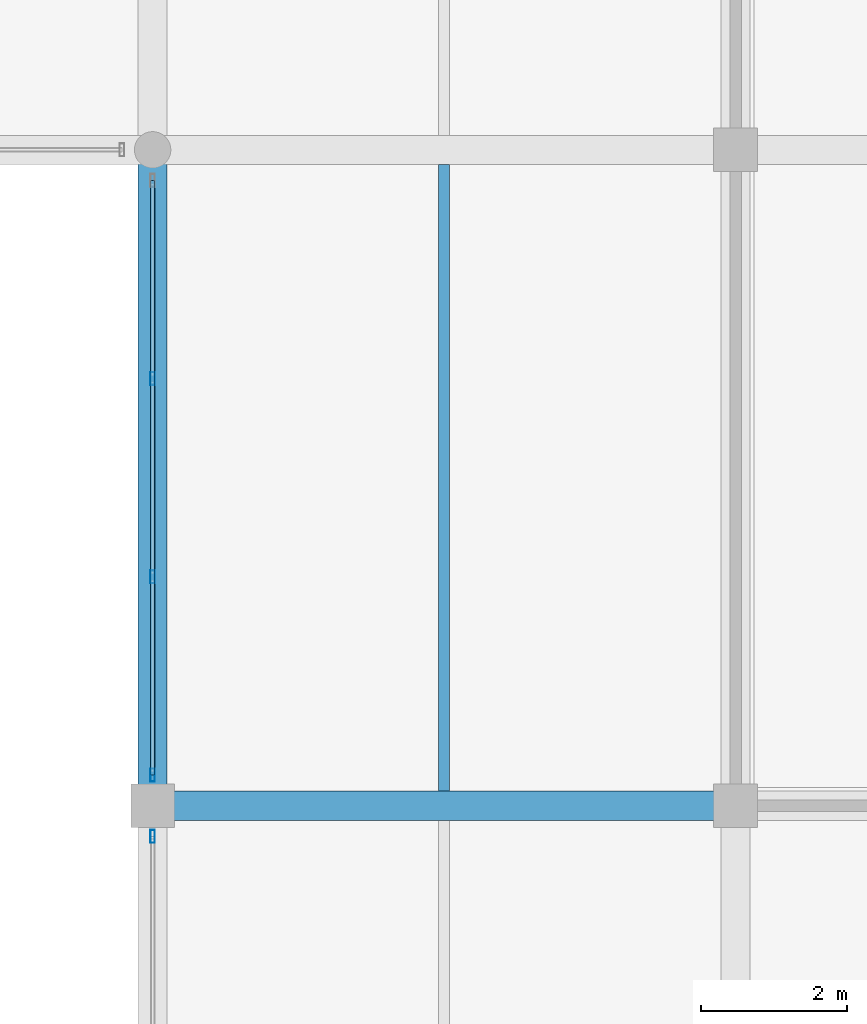
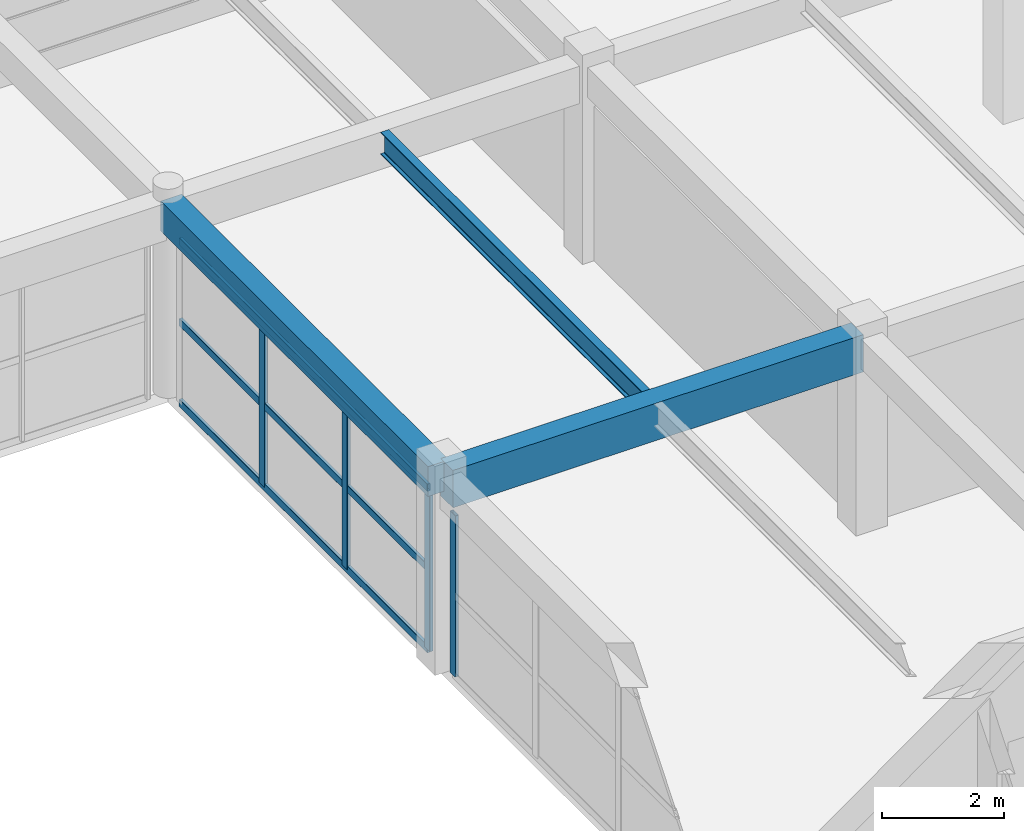
# One storey, part 27 of 126: 7 members, 3 beams, 2 elements without a shape of their own.
"""IFC4 building model written with IfcOpenShell, lengths in metres."""

from ifc_helpers import new_model, si_unit, direction, frame, origin, origin_2d, place, context, subcontext, project, spatial, rectangle, hollow_rectangle, i_section, extrude, material, material_profile, profile_set, type_object, element, aggregate, save


model = new_model("IFC4")

# Units and contexts
model_context = context("Model", 3, precision=1e-05, world=origin(), true_north=direction((0.0, 1.0)))
body_context = subcontext(model_context, "Body", "Model", "MODEL_VIEW")
ifc_project = project(units=[si_unit("LENGTHUNIT", "METRE"), si_unit("AREAUNIT", "SQUARE_METRE"), si_unit("VOLUMEUNIT", "CUBIC_METRE"), si_unit("PLANEANGLEUNIT", "RADIAN"), si_unit("MASSUNIT", "GRAM", prefix="KILO")], contexts=[model_context])

# Site, building, storey
site_placement = place(None, origin())
site = spatial("IfcSite", under=ifc_project, at=site_placement, CompositionType="ELEMENT")
building_placement = place(site_placement, origin())
building = spatial("IfcBuilding", under=site, at=building_placement, Name="Varnabhumi Central Station", CompositionType="ELEMENT")
storey_placement = place(building_placement, frame((0.0, 0.0, 16.199951171875)))
storey = spatial("IfcBuildingStorey", under=building, at=storey_placement, Name="L03", CompositionType="ELEMENT", Elevation=16.199951171875)

# Beams
ifc_material_1 = material(Name="Structural steel E350", Category="steel")
ifc_material_profile_1 = material_profile(ifc_material_1, i_section(OverallWidth=0.14990234375, OverallDepth=0.449951171875, WebThickness=0.009521484375, FlangeThickness=0.017333984375, FilletRadius=0.014892578125, at=origin_2d()), Name="Structural steel E350", Category="steel")
ifc_profile_set_1 = profile_set([ifc_material_profile_1], Name="Structural steel E350")
beam_type_1 = type_object("IfcBeamType", Name="BM-JST-ISMB450", PredefinedType="JOIST", material=ifc_profile_set_1)
beam_1_placement = place(storey_placement, frame((148.0, 18.199951171875, 3.695068359375), z_axis=(0.0, 1.0, 0.0), x_axis=(-1.0, 0.0, 0.0)))
element("IfcBeam", 1, at=beam_1_placement, inside=storey, type_object=beam_type_1, Name="Secondary Joist L03-19/20:C-D", PredefinedType="JOIST", context=body_context, shape_type="SweptSolid", body=[
    extrude(i_section(OverallWidth=0.14990234375, OverallDepth=0.449951171875, WebThickness=0.009521484375, FlangeThickness=0.017333984375, FilletRadius=0.014892578125, at=origin_2d()), origin(), (0.0, 0.0, 1.0), 8.60009765625),
])
ifc_material_2 = material(Name="Concrete M40", Category="concrete")
ifc_material_profile_2 = material_profile(ifc_material_2, rectangle(XDim=0.39990234375, YDim=0.60009765625, at=origin_2d()), Name="Concrete M40", Category="concrete")
ifc_profile_set_2 = profile_set([ifc_material_profile_2], Name="Concrete M40")
beam_type_2 = type_object("IfcBeamType", Name="BM-RC-400x600", PredefinedType="BEAM", material=ifc_profile_set_2)
beam_2_placement = place(storey_placement, frame((144.0, 18.10009765625, 3.6201171875), z_axis=(0.0, 1.0, 0.0), x_axis=(-1.0, 0.0, 0.0)))
element("IfcBeam", 2, at=beam_2_placement, inside=storey, type_object=beam_type_2, Name="Beam L03-19:C-D", PredefinedType="BEAM", context=body_context, shape_type="SweptSolid", body=[
    extrude(rectangle(XDim=0.39990234375, YDim=0.60009765625, at=origin_2d()), origin(), (0.0, 0.0, 1.0), 8.7998046875),
])
ifc_material_profile_3 = material_profile(ifc_material_2, rectangle(XDim=0.39990234375, YDim=0.75, at=origin_2d()), Name="Concrete M40", Category="concrete")
ifc_profile_set_3 = profile_set([ifc_material_profile_3], Name="Concrete M40")
beam_type_3 = type_object("IfcBeamType", Name="BM-RC-400x750", PredefinedType="BEAM", material=ifc_profile_set_3)
beam_3_placement = place(storey_placement, frame((144.10009765625, 18.0, 3.545166015625), z_axis=(1.0, 0.0, 0.0), x_axis=(0.0, 1.0, 0.0)))
element("IfcBeam", 3, at=beam_3_placement, inside=storey, type_object=beam_type_3, Name="Beam L03-C:19-20", PredefinedType="BEAM", context=body_context, shape_type="SweptSolid", body=[
    extrude(rectangle(XDim=0.39990234375, YDim=0.75, at=origin_2d()), origin(), (0.0, 0.0, 1.0), 7.7998046875),
])

# Curtain wall, member
ifc_material_3 = material(Name="Anodised aluminium 6063-T6", Category="aluminium")
curtain_wall_type = type_object("IfcCurtainWallType", Name="CW-PATIO-LOGGIA-L3", PredefinedType="NOTDEFINED", material=ifc_material_3)
curtain_wall_1_placement = place(storey_placement, origin())
curtain_wall_1 = element("IfcCurtainWall", 4, at=curtain_wall_1_placement, inside=storey, type_object=curtain_wall_type, Name="Curtain Wall CW-SP3W1", PredefinedType="NOTDEFINED")
ifc_material_profile_4 = material_profile(ifc_material_3, hollow_rectangle(XDim=0.06494140625, YDim=0.179931640625, WallThickness=0.00390625, InnerFilletRadius=0.001953125, OuterFilletRadius=0.006103515625, at=origin_2d()), Name="Anodised aluminium 6063-T6", Category="aluminium")
ifc_profile_set_4 = profile_set([ifc_material_profile_4], Name="Anodised aluminium 6063-T6")
member_type_1 = type_object("IfcMemberType", Name="CW-MUL-180", PredefinedType="MULLION", material=ifc_profile_set_4)
member_1_placement = place(storey_placement, frame((144.0, 17.580078125, 0.0), z_axis=(0.0, 0.0, 1.0), x_axis=(1.0, 0.0, 0.0)))
member_1 = element("IfcMember", 5, at=member_1_placement, type_object=member_type_1, Name="Curtain Wall Mullion CW-SP3W1-M4", PredefinedType="MULLION", context=body_context, shape_type="SweptSolid", body=[
    extrude(hollow_rectangle(XDim=0.06494140625, YDim=0.179931640625, WallThickness=0.00390625, InnerFilletRadius=0.001953125, OuterFilletRadius=0.006103515625, at=origin_2d()), origin(), (0.0, 0.0, 1.0), 3.239990234375),
])
aggregate(curtain_wall_1, [member_1])

# Curtain wall, members
curtain_wall_2_placement = place(storey_placement, origin())
curtain_wall_2 = element("IfcCurtainWall", 6, at=curtain_wall_2_placement, inside=storey, type_object=curtain_wall_type, Name="Curtain Wall CW-SP3W2", PredefinedType="NOTDEFINED")
member_2_placement = place(storey_placement, frame((144.0, 18.419921875, 0.0), z_axis=(0.0, 0.0, 1.0), x_axis=(1.0, 0.0, 0.0)))
member_2 = element("IfcMember", 7, at=member_2_placement, type_object=member_type_1, Name="Curtain Wall Mullion CW-SP3W2-M1", PredefinedType="MULLION", context=body_context, shape_type="SweptSolid", body=[
    extrude(hollow_rectangle(XDim=0.06494140625, YDim=0.179931640625, WallThickness=0.00390625, InnerFilletRadius=0.001953125, OuterFilletRadius=0.006103515625, at=origin_2d()), origin(), (0.0, 0.0, 1.0), 3.239990234375),
])
member_3_placement = place(storey_placement, frame((144.0, 21.139892578125, 0.0), z_axis=(0.0, 0.0, 1.0), x_axis=(1.0, 0.0, 0.0)))
member_3 = element("IfcMember", 8, at=member_3_placement, type_object=member_type_1, Name="Curtain Wall Mullion CW-SP3W2-M2", PredefinedType="MULLION", context=body_context, shape_type="SweptSolid", body=[
    extrude(hollow_rectangle(XDim=0.06494140625, YDim=0.179931640625, WallThickness=0.00390625, InnerFilletRadius=0.001953125, OuterFilletRadius=0.006103515625, at=origin_2d()), origin(), (0.0, 0.0, 1.0), 3.239990234375),
])
member_4_placement = place(storey_placement, frame((144.0, 23.860107421875, 0.0), z_axis=(0.0, 0.0, 1.0), x_axis=(1.0, 0.0, 0.0)))
member_4 = element("IfcMember", 9, at=member_4_placement, type_object=member_type_1, Name="Curtain Wall Mullion CW-SP3W2-M3", PredefinedType="MULLION", context=body_context, shape_type="SweptSolid", body=[
    extrude(hollow_rectangle(XDim=0.06494140625, YDim=0.179931640625, WallThickness=0.00390625, InnerFilletRadius=0.001953125, OuterFilletRadius=0.006103515625, at=origin_2d()), origin(), (0.0, 0.0, 1.0), 3.239990234375),
])
ifc_material_profile_5 = material_profile(ifc_material_3, hollow_rectangle(XDim=0.06005859375, YDim=0.14990234375, WallThickness=0.00390625, InnerFilletRadius=0.001953125, OuterFilletRadius=0.006103515625, at=origin_2d()), Name="Anodised aluminium 6063-T6", Category="aluminium")
ifc_profile_set_5 = profile_set([ifc_material_profile_5], Name="Anodised aluminium 6063-T6")
member_type_2 = type_object("IfcMemberType", Name="CW-TR-150", PredefinedType="USERDEFINED", material=ifc_profile_set_5)
member_5_placement = place(storey_placement, frame((144.0, 18.419921875, 0.0), z_axis=(0.0, 1.0, 0.0), x_axis=(-1.0, 0.0, 0.0)))
member_5 = element("IfcMember", 10, at=member_5_placement, type_object=member_type_2, Name="Curtain Wall Transom CW-SP3W2-T1", ObjectType="TRANSOM", PredefinedType="USERDEFINED", context=body_context, shape_type="SweptSolid", body=[
    extrude(hollow_rectangle(XDim=0.06005859375, YDim=0.14990234375, WallThickness=0.00390625, InnerFilletRadius=0.001953125, OuterFilletRadius=0.006103515625, at=origin_2d()), origin(), (0.0, 0.0, 1.0), 8.16015625),
])
member_6_placement = place(storey_placement, frame((144.0, 18.419921875, 1.6201171875), z_axis=(0.0, 1.0, 0.0), x_axis=(-1.0, 0.0, 0.0)))
member_6 = element("IfcMember", 11, at=member_6_placement, type_object=member_type_2, Name="Curtain Wall Transom CW-SP3W2-T2", ObjectType="TRANSOM", PredefinedType="USERDEFINED", context=body_context, shape_type="SweptSolid", body=[
    extrude(hollow_rectangle(XDim=0.06005859375, YDim=0.14990234375, WallThickness=0.00390625, InnerFilletRadius=0.001953125, OuterFilletRadius=0.006103515625, at=origin_2d()), origin(), (0.0, 0.0, 1.0), 8.16015625),
])
member_7_placement = place(storey_placement, frame((144.0, 18.419921875, 3.239990234375), z_axis=(0.0, 1.0, 0.0), x_axis=(-1.0, 0.0, 0.0)))
member_7 = element("IfcMember", 12, at=member_7_placement, type_object=member_type_2, Name="Curtain Wall Transom CW-SP3W2-T3", ObjectType="TRANSOM", PredefinedType="USERDEFINED", context=body_context, shape_type="SweptSolid", body=[
    extrude(hollow_rectangle(XDim=0.06005859375, YDim=0.14990234375, WallThickness=0.00390625, InnerFilletRadius=0.001953125, OuterFilletRadius=0.006103515625, at=origin_2d()), origin(), (0.0, 0.0, 1.0), 8.16015625),
])
aggregate(curtain_wall_2, [member_2, member_3, member_4, member_5, member_6, member_7])

save(model, "model.ifc")
